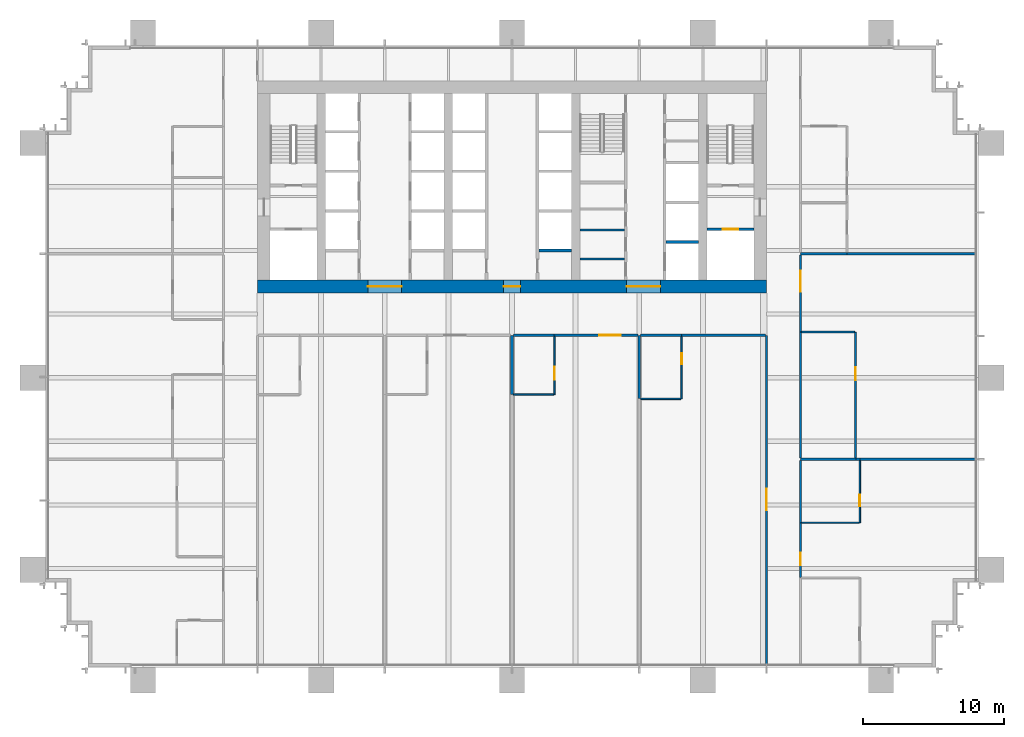
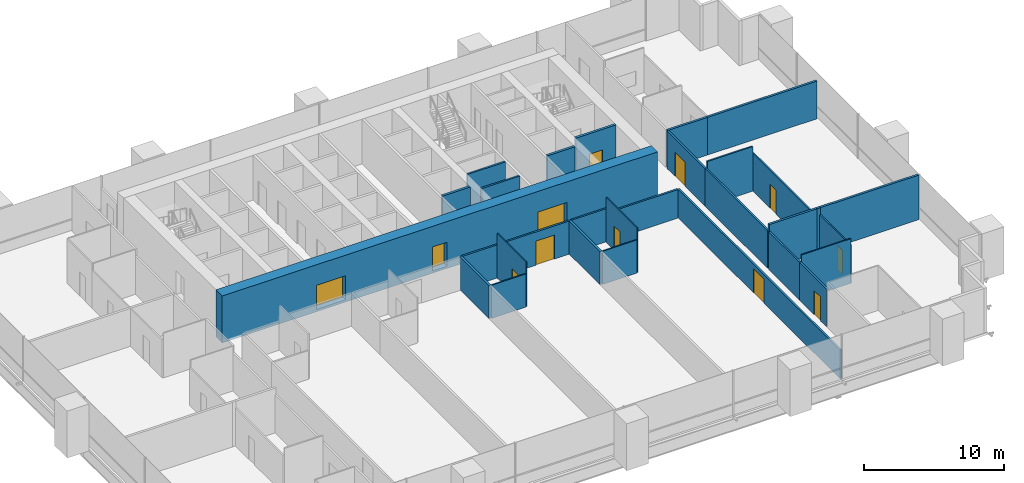
# One storey, part 12 of 17: 30 walls, 12 doors, 12 openings.
"""IFC4 building model written with IfcOpenShell, lengths in metres."""

from ifc_helpers import new_model, si_unit, direction, frame, frame_2d, origin, place, context, subcontext, project, spatial, rectangle, extrude, material, layer, layer_set, type_object, element, fill, save


model = new_model("IFC4")

# Units and contexts
model_context = context("Model", 3, precision=1e-05, world=origin(), true_north=direction((0.0, 1.0)))
body_context = subcontext(model_context, "Body", "Model", "MODEL_VIEW")
ifc_project = project(units=[si_unit("LENGTHUNIT", "METRE"), si_unit("AREAUNIT", "SQUARE_METRE"), si_unit("VOLUMEUNIT", "CUBIC_METRE"), si_unit("PLANEANGLEUNIT", "RADIAN"), si_unit("MASSUNIT", "GRAM", prefix="KILO")], contexts=[model_context])

# Site, building, storey
site_placement = place(None, origin())
site = spatial("IfcSite", under=ifc_project, at=site_placement, CompositionType="ELEMENT")
building_placement = place(site_placement, origin())
building = spatial("IfcBuilding", under=site, at=building_placement, Name="Rattan Terrace Tower", CompositionType="ELEMENT")
storey_placement = place(building_placement, frame((0.0, 0.0, 61.10009765625)))
storey = spatial("IfcBuildingStorey", under=building, at=storey_placement, Name="L13", CompositionType="ELEMENT", Elevation=61.10009765625)

# Walls
ifc_material_1 = material(Name="Gypsum board partition")
ifc_layer_1 = layer(ifc_material_1, 0.14990234375)
ifc_layer_set_1 = layer_set([ifc_layer_1], Name="Core partition 150")
wall_type_1 = type_object("IfcWallType", Name="Core partition 150", PredefinedType="PARTITIONING", material=ifc_layer_set_1)
for number, where, z_axis, x_axis, name in (
    (1, (4.800048828125, -5.10400390625, 0.0), (0.0, 0.0, 1.0), (1.0, 0.0, 0.0), "Toilet wall"),
    (2, (4.800048828125, -3.06396484375, 0.0), (0.0, 0.0, 1.0), (1.0, 0.0, 0.0), "Toilet wall"),
):
    element("IfcWall", number, at=place(storey_placement, frame(where, z_axis=z_axis, x_axis=x_axis)), inside=storey, type_object=wall_type_1, Name=name, PredefinedType="PARTITIONING", context=body_context, shape_type="SweptSolid", body=[
        extrude(rectangle(XDim=3.14990234375, YDim=0.14990234375, at=frame_2d((1.574951171875, 0.0))), origin(), (0.0, 0.0, 1.0), 3.89990234375),
    ])

# Wall, opening, door
ifc_material_2 = material(Name="Gypsum board partition")
ifc_layer_2 = layer(ifc_material_2, 0.199951171875)
ifc_layer_set_2 = layer_set([ifc_layer_2], Name="Core partition 200")
wall_type_2 = type_object("IfcWallType", Name="Core partition 200", PredefinedType="PARTITIONING", material=ifc_layer_set_2)
wall_1_placement = place(storey_placement, frame((13.800048828125, -3.0, 0.0), z_axis=(0.0, 0.0, 1.0), x_axis=(1.0, 0.0, 0.0)))
wall_1 = element("IfcWall", 3, at=wall_1_placement, inside=storey, type_object=wall_type_2, Name="Fire-fighting lobby wall", PredefinedType="PARTITIONING", context=body_context, shape_type="SweptSolid", body=[
    extrude(rectangle(XDim=3.300048828125, YDim=0.199951171875, at=frame_2d((1.64990234375, 0.0))), origin(), (0.0, 0.0, 1.0), 3.89990234375),
])
opening_1_placement = place(wall_1_placement, frame((1.10009765625, 0.0, 0.0)))
opening_1 = element("IfcOpeningElement", 4, at=opening_1_placement, cuts=wall_1, Name="Opening L13-LD-FF2", PredefinedType="OPENING", context=body_context, shape_type="SweptSolid", body=[
    extrude(rectangle(XDim=1.10009765625, YDim=2.10009765625, at=frame_2d((0.550048828125, 1.050048828125))), frame((0.0, 0.110595703125, 0.0), z_axis=(0.0, -1.0, 0.0), x_axis=(1.0, 0.0, 0.0)), (0.0, 0.0, 1.0), 0.220947265625),
])
ifc_material_3 = material(Name="Brushed stainless landing door panel")
door_type_1 = type_object("IfcDoorType", Name="Core lift landing door 1100", OperationType="DOUBLE_DOOR_SLIDING", PredefinedType="DOOR", material=ifc_material_3)
door_1_placement = place(opening_1_placement, origin())
door_1 = element("IfcDoor", 5, at=door_1_placement, inside=storey, type_object=door_type_1, Name="Door L13-LD-FF2", OperationType="DOUBLE_DOOR_SLIDING", OverallHeight=2.10009765625, OverallWidth=1.10009765625, PredefinedType="DOOR", context=body_context, shape_type="SweptSolid", body=[
    extrude(rectangle(XDim=1.10009765625, YDim=2.10009765625, at=frame_2d((0.550048828125, 1.050048828125))), frame((0.0, 0.02490234375, 0.0), z_axis=(0.0, -1.0, 0.0), x_axis=(1.0, 0.0, 0.0)), (0.0, 0.0, 1.0), 0.050048828125),
])
fill(opening_1, door_1)

# Wall, openings, doors
ifc_material_4 = material(Name="Concrete C70/85", Category="concrete")
ifc_layer_3 = layer(ifc_material_4, 0.89990234375)
ifc_layer_set_3 = layer_set([ifc_layer_3], Name="Core ring wall 900 C70/85")
wall_type_3 = type_object("IfcWallType", Name="Core ring wall 900 C70/85", PredefinedType="SHEAR", material=ifc_layer_set_3)
wall_2_placement = place(storey_placement, frame((-18.0, -7.050048828125, -0.2001953125), z_axis=(0.0, 0.0, 1.0), x_axis=(1.0, 0.0, 0.0)))
wall_2 = element("IfcWall", 6, at=wall_2_placement, inside=storey, type_object=wall_type_3, Name="Rear core wall south", PredefinedType="SHEAR", context=body_context, shape_type="SweptSolid", body=[
    extrude(rectangle(XDim=36.0, YDim=0.89990234375, at=frame_2d((18.0, 0.0))), origin(), (0.0, 0.0, 1.0), 4.10009765625),
])
opening_2_placement = place(wall_2_placement, frame((7.800048828125, 0.0, 0.199951171875)))
opening_2 = element("IfcOpeningElement", 7, at=opening_2_placement, cuts=wall_2, Name="Opening L13-D007", PredefinedType="OPENING", context=body_context, shape_type="SweptSolid", body=[
    extrude(rectangle(XDim=2.39990234375, YDim=2.10009765625, at=frame_2d((1.199951171875, 1.050048828125))), frame((0.0, 0.46044921875, 0.0), z_axis=(0.0, -1.0, 0.0), x_axis=(1.0, 0.0, 0.0)), (0.0, 0.0, 1.0), 0.9208984375),
])
opening_3_placement = place(wall_2_placement, frame((17.39990234375, 0.0, 0.199951171875)))
opening_3 = element("IfcOpeningElement", 8, at=opening_3_placement, cuts=wall_2, Name="Opening L13-D010", PredefinedType="OPENING", context=body_context, shape_type="SweptSolid", body=[
    extrude(rectangle(XDim=1.199951171875, YDim=2.10009765625, at=frame_2d((0.60009765625, 1.050048828125))), frame((0.0, 0.46044921875, 0.0), z_axis=(0.0, -1.0, 0.0), x_axis=(1.0, 0.0, 0.0)), (0.0, 0.0, 1.0), 0.9208984375),
])
opening_4_placement = place(wall_2_placement, frame((26.10009765625, 0.0, 0.199951171875)))
opening_4 = element("IfcOpeningElement", 9, at=opening_4_placement, cuts=wall_2, Name="Opening L13-D016", PredefinedType="OPENING", context=body_context, shape_type="SweptSolid", body=[
    extrude(rectangle(XDim=2.39990234375, YDim=2.10009765625, at=frame_2d((1.199951171875, 1.050048828125))), frame((0.0, 0.46044921875, 0.0), z_axis=(0.0, -1.0, 0.0), x_axis=(1.0, 0.0, 0.0)), (0.0, 0.0, 1.0), 0.9208984375),
])
ifc_material_5 = material(Name="Hollow-metal fire door leaf")
door_type_2 = type_object("IfcDoorType", Name="Core lift lobby door 2400", OperationType="NOTDEFINED", PredefinedType="DOOR", material=ifc_material_5)
door_2_placement = place(opening_2_placement, origin())
door_2 = element("IfcDoor", 10, at=door_2_placement, inside=storey, type_object=door_type_2, Name="Door L13-D007", OperationType="DOUBLE_DOOR_DOUBLE_SWING", OverallHeight=2.10009765625, OverallWidth=2.39990234375, PredefinedType="DOOR", context=body_context, shape_type="SweptSolid", body=[
    extrude(rectangle(XDim=2.39990234375, YDim=2.10009765625, at=frame_2d((1.199951171875, 1.050048828125))), frame((0.0, 0.02490234375, 0.0), z_axis=(0.0, -1.0, 0.0), x_axis=(1.0, 0.0, 0.0)), (0.0, 0.0, 1.0), 0.050048828125),
])
fill(opening_2, door_2)
door_3_placement = place(opening_4_placement, origin())
door_3 = element("IfcDoor", 11, at=door_3_placement, inside=storey, type_object=door_type_2, Name="Door L13-D016", OperationType="DOUBLE_DOOR_DOUBLE_SWING", OverallHeight=2.10009765625, OverallWidth=2.39990234375, PredefinedType="DOOR", context=body_context, shape_type="SweptSolid", body=[
    extrude(rectangle(XDim=2.39990234375, YDim=2.10009765625, at=frame_2d((1.199951171875, 1.050048828125))), frame((0.0, 0.02490234375, 0.0), z_axis=(0.0, -1.0, 0.0), x_axis=(1.0, 0.0, 0.0)), (0.0, 0.0, 1.0), 0.050048828125),
])
fill(opening_4, door_3)
ifc_material_6 = material(Name="Hollow-metal fire door leaf")
door_type_3 = type_object("IfcDoorType", Name="Core riser door 1200", OperationType="NOTDEFINED", PredefinedType="DOOR", material=ifc_material_6)
door_4_placement = place(opening_3_placement, origin())
door_4 = element("IfcDoor", 12, at=door_4_placement, inside=storey, type_object=door_type_3, Name="Door L13-D010", OperationType="SINGLE_SWING_RIGHT", OverallHeight=2.10009765625, OverallWidth=1.199951171875, PredefinedType="DOOR", context=body_context, shape_type="SweptSolid", body=[
    extrude(rectangle(XDim=1.199951171875, YDim=2.10009765625, at=frame_2d((0.60009765625, 1.050048828125))), frame((0.0, 0.02490234375, 0.0), z_axis=(0.0, -1.0, 0.0), x_axis=(1.0, 0.0, 0.0)), (0.0, 0.0, 1.0), 0.050048828125),
])
fill(opening_3, door_4)

# Walls
ifc_material_7 = material(Name="Double steel stud acoustic partition, gypsum board, mineral wool, fire rated", Category="steel")
ifc_layer_4 = layer(ifc_material_7, 0.179931640625)
ifc_layer_set_4 = layer_set([ifc_layer_4], Name="Floors Acoustic Party Wall 180")
wall_type_4 = type_object("IfcWallType", Name="Floors Acoustic Party Wall 180", PredefinedType="PARTITIONING", material=ifc_layer_set_4)
wall_3_placement = place(storey_placement, frame((24.60009765625, -19.27294921875, 0.0), z_axis=(0.0, 0.0, 1.0), x_axis=(1.0, 0.0, 0.0)))
element("IfcWall", 13, at=wall_3_placement, inside=storey, type_object=wall_type_4, Name="pt-L13-052", PredefinedType="PARTITIONING", context=body_context, shape_type="SweptSolid", body=[
    extrude(rectangle(XDim=8.139892578125, YDim=0.179931640625, at=frame_2d((4.06982421875, 0.0))), origin(), (0.0, 0.0, 1.0), 3.89990234375),
])
wall_4_placement = place(storey_placement, frame((24.320068359375, -19.27294921875, 0.0), z_axis=(0.0, 0.0, 1.0), x_axis=(1.0, 0.0, 0.0)))
element("IfcWall", 14, at=wall_4_placement, inside=storey, type_object=wall_type_4, Name="pt-L13-053", PredefinedType="PARTITIONING", context=body_context, shape_type="SweptSolid", body=[
    extrude(rectangle(XDim=0.280029296875, YDim=0.179931640625, at=frame_2d((0.14013671875, 0.0))), origin(), (0.0, 0.0, 1.0), 3.89990234375),
])
wall_5_placement = place(storey_placement, frame((20.39990234375, -19.27294921875, 0.0), z_axis=(0.0, 0.0, 1.0), x_axis=(1.0, 0.0, 0.0)))
element("IfcWall", 15, at=wall_5_placement, inside=storey, type_object=wall_type_4, Name="pt-L13-054", PredefinedType="PARTITIONING", context=body_context, shape_type="SweptSolid", body=[
    extrude(rectangle(XDim=3.920166015625, YDim=0.179931640625, at=frame_2d((1.9599609375, 0.0))), origin(), (0.0, 0.0, 1.0), 3.89990234375),
])
wall_6_placement = place(storey_placement, frame((23.679931640625, -4.72705078125, 0.0), z_axis=(0.0, 0.0, 1.0), x_axis=(1.0, 0.0, 0.0)))
element("IfcWall", 16, at=wall_6_placement, inside=storey, type_object=wall_type_4, Name="pt-L13-057", PredefinedType="PARTITIONING", context=body_context, shape_type="SweptSolid", body=[
    extrude(rectangle(XDim=9.06005859375, YDim=0.179931640625, at=frame_2d((4.530029296875, 0.0))), origin(), (0.0, 0.0, 1.0), 3.2998046875),
])
wall_7_placement = place(storey_placement, frame((20.39990234375, -4.72705078125, 0.0), z_axis=(0.0, 0.0, 1.0), x_axis=(1.0, 0.0, 0.0)))
element("IfcWall", 17, at=wall_7_placement, inside=storey, type_object=wall_type_4, Name="pt-L13-058", PredefinedType="PARTITIONING", context=body_context, shape_type="SweptSolid", body=[
    extrude(rectangle(XDim=3.280029296875, YDim=0.179931640625, at=frame_2d((1.64013671875, 0.0))), origin(), (0.0, 0.0, 1.0), 3.2998046875),
])
wall_8_placement = place(storey_placement, frame((0.0, -10.5, 0.0), z_axis=(0.0, 0.0, 1.0), x_axis=(0.0, -1.0, 0.0)))
element("IfcWall", 18, at=wall_8_placement, inside=storey, type_object=wall_type_4, Name="pt-L13-070", PredefinedType="PARTITIONING", context=body_context, shape_type="SweptSolid", body=[
    extrude(rectangle(XDim=4.179931640625, YDim=0.179931640625, at=frame_2d((2.08984375, 0.0))), origin(), (0.0, 0.0, 1.0), 2.89990234375),
])
wall_9_placement = place(storey_placement, frame((9.0, -10.5, 0.0), z_axis=(0.0, 0.0, 1.0), x_axis=(0.0, -1.0, 0.0)))
element("IfcWall", 19, at=wall_9_placement, inside=storey, type_object=wall_type_4, Name="pt-L13-074", PredefinedType="PARTITIONING", context=body_context, shape_type="SweptSolid", body=[
    extrude(rectangle(XDim=4.47998046875, YDim=0.179931640625, at=frame_2d((2.239990234375, 0.0))), origin(), (0.0, 0.0, 1.0), 2.89990234375),
])
ifc_material_8 = material(Name="Gypsum board partition on steel studs", Category="steel")
ifc_layer_5 = layer(ifc_material_8, 0.10009765625)
ifc_layer_set_5 = layer_set([ifc_layer_5], Name="Floors Partition 100")
wall_type_5 = type_object("IfcWallType", Name="Floors Partition 100", PredefinedType="PARTITIONING", material=ifc_layer_set_5)
wall_10_placement = place(storey_placement, frame((20.47509765625, -23.760009765625, 0.0), z_axis=(0.0, 0.0, 1.0), x_axis=(1.0, 0.0, 0.0)))
element("IfcWall", 20, at=wall_10_placement, inside=storey, type_object=wall_type_5, Name="pt-L13-050", PredefinedType="PARTITIONING", context=body_context, shape_type="SweptSolid", body=[
    extrude(rectangle(XDim=4.074951171875, YDim=0.10009765625, at=frame_2d((2.03759765625, 0.0))), origin(), (0.0, 0.0, 1.0), 3.89990234375),
])

# Wall, opening, door
wall_11_placement = place(storey_placement, frame((24.60009765625, -23.760009765625, 0.0), z_axis=(0.0, 0.0, 1.0), x_axis=(0.0, 1.0, 0.0)))
wall_11 = element("IfcWall", 21, at=wall_11_placement, inside=storey, type_object=wall_type_5, Name="pt-L13-051", PredefinedType="PARTITIONING", context=body_context, shape_type="SweptSolid", body=[
    extrude(rectangle(XDim=4.39697265625, YDim=0.10009765625, at=frame_2d((2.198486328125, 0.0))), origin(), (0.0, 0.0, 1.0), 3.2998046875),
])
opening_5_placement = place(wall_11_placement, frame((1.178955078125, 0.0, 0.0)))
opening_5 = element("IfcOpeningElement", 22, at=opening_5_placement, cuts=wall_11, Name="Opening L13-D111", PredefinedType="OPENING", context=body_context, shape_type="SweptSolid", body=[
    extrude(rectangle(XDim=0.800048828125, YDim=2.10009765625, at=frame_2d((0.39990234375, 1.050048828125))), frame((0.0, 0.060546875, 0.0), z_axis=(0.0, -1.0, 0.0), x_axis=(1.0, 0.0, 0.0)), (0.0, 0.0, 1.0), 0.12109375),
])
ifc_material_9 = material(Name="Solid core timber door, painted", Category="wood")
door_type_4 = type_object("IfcDoorType", Name="Floors Store Door 800x2100", OperationType="NOTDEFINED", PredefinedType="DOOR", material=ifc_material_9)
door_5_placement = place(opening_5_placement, origin())
door_5 = element("IfcDoor", 23, at=door_5_placement, inside=storey, type_object=door_type_4, Name="d-L13-111", OperationType="SINGLE_SWING_LEFT", OverallHeight=2.10009765625, OverallWidth=0.800048828125, PredefinedType="DOOR", context=body_context, shape_type="SweptSolid", body=[
    extrude(rectangle(XDim=0.800048828125, YDim=2.10009765625, at=frame_2d((0.39990234375, 1.050048828125))), frame((0.0, 0.02490234375, 0.0), z_axis=(0.0, -1.0, 0.0), x_axis=(1.0, 0.0, 0.0)), (0.0, 0.0, 1.0), 0.050048828125),
])
fill(opening_5, door_5)

# Wall
wall_12_placement = place(storey_placement, frame((0.090087890625, -14.699951171875, 0.0), z_axis=(0.0, 0.0, 1.0), x_axis=(1.0, 0.0, 0.0)))
element("IfcWall", 24, at=wall_12_placement, inside=storey, type_object=wall_type_5, Name="pt-L13-071", PredefinedType="PARTITIONING", context=body_context, shape_type="SweptSolid", body=[
    extrude(rectangle(XDim=2.85986328125, YDim=0.10009765625, at=frame_2d((1.429931640625, 0.0))), origin(), (0.0, 0.0, 1.0), 2.89990234375),
])

# Wall, opening, door
wall_13_placement = place(storey_placement, frame((3.0, -14.699951171875, 0.0), z_axis=(0.0, 0.0, 1.0), x_axis=(0.0, 1.0, 0.0)))
wall_13 = element("IfcWall", 25, at=wall_13_placement, inside=storey, type_object=wall_type_5, Name="pt-L13-072", PredefinedType="PARTITIONING", context=body_context, shape_type="SweptSolid", body=[
    extrude(rectangle(XDim=4.125, YDim=0.10009765625, at=frame_2d((2.0625, 0.0))), origin(), (0.0, 0.0, 1.0), 3.89990234375),
])
opening_6_placement = place(wall_13_placement, frame((1.06689453125, 0.0, 0.0)))
opening_6 = element("IfcOpeningElement", 26, at=opening_6_placement, cuts=wall_13, Name="Opening L13-D123", PredefinedType="OPENING", context=body_context, shape_type="SweptSolid", body=[
    extrude(rectangle(XDim=0.89990234375, YDim=2.10009765625, at=frame_2d((0.449951171875, 1.050048828125))), frame((0.0, 0.060546875, 0.0), z_axis=(0.0, -1.0, 0.0), x_axis=(1.0, 0.0, 0.0)), (0.0, 0.0, 1.0), 0.12109375),
])
ifc_material_10 = material(Name="Solid core timber door, painted", Category="wood")
door_type_5 = type_object("IfcDoorType", Name="Floors Door 900x2100", OperationType="NOTDEFINED", PredefinedType="DOOR", material=ifc_material_10)
door_6_placement = place(opening_6_placement, origin())
door_6 = element("IfcDoor", 27, at=door_6_placement, inside=storey, type_object=door_type_5, Name="d-L13-123", OperationType="SINGLE_SWING_LEFT", OverallHeight=2.10009765625, OverallWidth=0.89990234375, PredefinedType="DOOR", context=body_context, shape_type="SweptSolid", body=[
    extrude(rectangle(XDim=0.89990234375, YDim=2.10009765625, at=frame_2d((0.449951171875, 1.050048828125))), frame((0.0, 0.02490234375, 0.0), z_axis=(0.0, -1.0, 0.0), x_axis=(1.0, 0.0, 0.0)), (0.0, 0.0, 1.0), 0.050048828125),
])
fill(opening_6, door_6)

# Wall
wall_14_placement = place(storey_placement, frame((9.090087890625, -15.0, 0.0), z_axis=(0.0, 0.0, 1.0), x_axis=(1.0, 0.0, 0.0)))
element("IfcWall", 28, at=wall_14_placement, inside=storey, type_object=wall_type_5, Name="pt-L13-075", PredefinedType="PARTITIONING", context=body_context, shape_type="SweptSolid", body=[
    extrude(rectangle(XDim=2.85986328125, YDim=0.10009765625, at=frame_2d((1.429931640625, 0.0))), origin(), (0.0, 0.0, 1.0), 2.89990234375),
])

# Wall, opening, door
wall_15_placement = place(storey_placement, frame((12.0, -15.0, 0.0), z_axis=(0.0, 0.0, 1.0), x_axis=(0.0, 1.0, 0.0)))
wall_15 = element("IfcWall", 29, at=wall_15_placement, inside=storey, type_object=wall_type_5, Name="pt-L13-076", PredefinedType="PARTITIONING", context=body_context, shape_type="SweptSolid", body=[
    extrude(rectangle(XDim=4.425048828125, YDim=0.10009765625, at=frame_2d((2.21240234375, 0.0))), origin(), (0.0, 0.0, 1.0), 3.89990234375),
])
opening_7_placement = place(wall_15_placement, frame((2.43798828125, 0.0, 0.0)))
opening_7 = element("IfcOpeningElement", 30, at=opening_7_placement, cuts=wall_15, Name="Opening L13-D125", PredefinedType="OPENING", context=body_context, shape_type="SweptSolid", body=[
    extrude(rectangle(XDim=0.800048828125, YDim=2.10009765625, at=frame_2d((0.39990234375, 1.050048828125))), frame((0.0, 0.060546875, 0.0), z_axis=(0.0, -1.0, 0.0), x_axis=(1.0, 0.0, 0.0)), (0.0, 0.0, 1.0), 0.12109375),
])
door_7_placement = place(opening_7_placement, origin())
door_7 = element("IfcDoor", 31, at=door_7_placement, inside=storey, type_object=door_type_4, Name="d-L13-125", OperationType="SINGLE_SWING_RIGHT", OverallHeight=2.10009765625, OverallWidth=0.800048828125, PredefinedType="DOOR", context=body_context, shape_type="SweptSolid", body=[
    extrude(rectangle(XDim=0.800048828125, YDim=2.10009765625, at=frame_2d((0.39990234375, 1.050048828125))), frame((0.0, 0.02490234375, 0.0), z_axis=(0.0, -1.0, 0.0), x_axis=(1.0, 0.0, 0.0)), (0.0, 0.0, 1.0), 0.050048828125),
])
fill(opening_7, door_7)

ifc_material_11 = material(Name="Gypsum board partition on steel studs, fire rated", Category="steel")
ifc_layer_6 = layer(ifc_material_11, 0.14990234375)
ifc_layer_set_6 = layer_set([ifc_layer_6], Name="Floors Tenancy Wall 150")
wall_type_6 = type_object("IfcWallType", Name="Floors Tenancy Wall 150", PredefinedType="PARTITIONING", material=ifc_layer_set_6)
wall_16_placement = place(storey_placement, frame((20.39990234375, -23.780029296875, 0.0), z_axis=(0.0, 0.0, 1.0), x_axis=(0.0, -1.0, 0.0)))
wall_16 = element("IfcWall", 32, at=wall_16_placement, inside=storey, type_object=wall_type_6, Name="pt-L13-010", PredefinedType="PARTITIONING", context=body_context, shape_type="SweptSolid", body=[
    extrude(rectangle(XDim=3.85986328125, YDim=0.14990234375, at=frame_2d((1.929931640625, 0.0))), origin(), (0.0, 0.0, 1.0), 3.2998046875),
])
opening_8_placement = place(wall_16_placement, frame((2.094970703125, 0.0, 0.0)))
opening_8 = element("IfcOpeningElement", 33, at=opening_8_placement, cuts=wall_16, Name="Opening L13-D109", PredefinedType="OPENING", context=body_context, shape_type="SweptSolid", body=[
    extrude(rectangle(XDim=0.89990234375, YDim=2.10009765625, at=frame_2d((0.449951171875, 1.050048828125))), frame((0.0, 0.08544921875, 0.0), z_axis=(0.0, -1.0, 0.0), x_axis=(1.0, 0.0, 0.0)), (0.0, 0.0, 1.0), 0.1708984375),
])
ifc_material_12 = material(Name="Steel fire door set", Category="steel")
door_type_6 = type_object("IfcDoorType", Name="Floors Fire Door FD30S 900x2100", OperationType="NOTDEFINED", PredefinedType="DOOR", material=ifc_material_12)
door_8_placement = place(opening_8_placement, origin())
door_8 = element("IfcDoor", 34, at=door_8_placement, inside=storey, type_object=door_type_6, Name="d-L13-109", OperationType="SINGLE_SWING_RIGHT", OverallHeight=2.10009765625, OverallWidth=0.89990234375, PredefinedType="DOOR", context=body_context, shape_type="SweptSolid", body=[
    extrude(rectangle(XDim=0.89990234375, YDim=2.10009765625, at=frame_2d((0.449951171875, 1.050048828125))), frame((0.0, 0.02490234375, 0.0), z_axis=(0.0, -1.0, 0.0), x_axis=(1.0, 0.0, 0.0)), (0.0, 0.0, 1.0), 0.050048828125),
])
fill(opening_8, door_8)

# Wall
wall_17_placement = place(storey_placement, frame((20.39990234375, -19.363037109375, 0.0), z_axis=(0.0, 0.0, 1.0), x_axis=(0.0, -1.0, 0.0)))
element("IfcWall", 35, at=wall_17_placement, inside=storey, type_object=wall_type_6, Name="pt-L13-012", PredefinedType="PARTITIONING", context=body_context, shape_type="SweptSolid", body=[
    extrude(rectangle(XDim=4.4169921875, YDim=0.14990234375, at=frame_2d((2.20849609375, 0.0))), origin(), (0.0, 0.0, 1.0), 3.2998046875),
])

# Wall, opening, door
wall_18_placement = place(storey_placement, frame((20.39990234375, -4.81689453125, 0.0), z_axis=(0.0, 0.0, 1.0), x_axis=(0.0, -1.0, 0.0)))
wall_18 = element("IfcWall", 36, at=wall_18_placement, inside=storey, type_object=wall_type_6, Name="pt-L13-013", PredefinedType="PARTITIONING", context=body_context, shape_type="SweptSolid", body=[
    extrude(rectangle(XDim=5.43603515625, YDim=0.14990234375, at=frame_2d((2.718017578125, 0.0))), origin(), (0.0, 0.0, 1.0), 3.2998046875),
])
opening_9_placement = place(wall_18_placement, frame((1.10888671875, 0.0, 0.0)))
opening_9 = element("IfcOpeningElement", 37, at=opening_9_placement, cuts=wall_18, Name="Opening L13-D112", PredefinedType="OPENING", context=body_context, shape_type="SweptSolid", body=[
    extrude(rectangle(XDim=1.5, YDim=2.10009765625, at=frame_2d((0.75, 1.050048828125))), frame((0.0, 0.08544921875, 0.0), z_axis=(0.0, -1.0, 0.0), x_axis=(1.0, 0.0, 0.0)), (0.0, 0.0, 1.0), 0.1708984375),
])
ifc_material_13 = material(Name="Steel fire door set", Category="steel")
door_type_7 = type_object("IfcDoorType", Name="Floors Unit Door Pair FD30S 1500x2100", OperationType="NOTDEFINED", PredefinedType="DOOR", material=ifc_material_13)
door_9_placement = place(opening_9_placement, origin())
door_9 = element("IfcDoor", 38, at=door_9_placement, inside=storey, type_object=door_type_7, Name="d-L13-112", OperationType="DOUBLE_DOOR_SINGLE_SWING", OverallHeight=2.10009765625, OverallWidth=1.5, PredefinedType="DOOR", context=body_context, shape_type="SweptSolid", body=[
    extrude(rectangle(XDim=1.5, YDim=2.10009765625, at=frame_2d((0.75, 1.050048828125))), frame((0.0, 0.02490234375, 0.0), z_axis=(0.0, -1.0, 0.0), x_axis=(1.0, 0.0, 0.0)), (0.0, 0.0, 1.0), 0.050048828125),
])
fill(opening_9, door_9)

# Wall
wall_19_placement = place(storey_placement, frame((20.39990234375, -10.2529296875, 0.0), z_axis=(0.0, 0.0, 1.0), x_axis=(0.0, -1.0, 0.0)))
element("IfcWall", 39, at=wall_19_placement, inside=storey, type_object=wall_type_6, Name="pt-L13-014", PredefinedType="PARTITIONING", context=body_context, shape_type="SweptSolid", body=[
    extrude(rectangle(XDim=8.93017578125, YDim=0.14990234375, at=frame_2d((4.465087890625, 0.0))), origin(), (0.0, 0.0, 1.0), 3.2998046875),
])

# Wall, opening, door
wall_20_placement = place(storey_placement, frame((8.909912109375, -10.5, 0.0), z_axis=(0.0, 0.0, 1.0), x_axis=(-1.0, 0.0, 0.0)))
wall_20 = element("IfcWall", 40, at=wall_20_placement, inside=storey, type_object=wall_type_6, Name="pt-L13-026", PredefinedType="PARTITIONING", context=body_context, shape_type="SweptSolid", body=[
    extrude(rectangle(XDim=5.929931640625, YDim=0.14990234375, at=frame_2d((2.96484375, 0.0))), origin(), (0.0, 0.0, 1.0), 2.89990234375),
])
opening_10_placement = place(wall_20_placement, frame((1.23193359375, 0.0, 0.0)))
opening_10 = element("IfcOpeningElement", 41, at=opening_10_placement, cuts=wall_20, Name="Opening L13-D122", PredefinedType="OPENING", context=body_context, shape_type="SweptSolid", body=[
    extrude(rectangle(XDim=1.5, YDim=2.10009765625, at=frame_2d((0.75, 1.050048828125))), frame((0.0, 0.08544921875, 0.0), z_axis=(0.0, -1.0, 0.0), x_axis=(1.0, 0.0, 0.0)), (0.0, 0.0, 1.0), 0.1708984375),
])
door_10_placement = place(opening_10_placement, origin())
door_10 = element("IfcDoor", 42, at=door_10_placement, inside=storey, type_object=door_type_7, Name="d-L13-122", OperationType="DOUBLE_DOOR_SINGLE_SWING", OverallHeight=2.10009765625, OverallWidth=1.5, PredefinedType="DOOR", context=body_context, shape_type="SweptSolid", body=[
    extrude(rectangle(XDim=1.5, YDim=2.10009765625, at=frame_2d((0.75, 1.050048828125))), frame((0.0, 0.02490234375, 0.0), z_axis=(0.0, -1.0, 0.0), x_axis=(1.0, 0.0, 0.0)), (0.0, 0.0, 1.0), 0.050048828125),
])
fill(opening_10, door_10)

# Walls
wall_21_placement = place(storey_placement, frame((2.97998046875, -10.5, 0.0), z_axis=(0.0, 0.0, 1.0), x_axis=(-1.0, 0.0, 0.0)))
element("IfcWall", 43, at=wall_21_placement, inside=storey, type_object=wall_type_6, Name="pt-L13-027", PredefinedType="PARTITIONING", context=body_context, shape_type="SweptSolid", body=[
    extrude(rectangle(XDim=2.889892578125, YDim=0.14990234375, at=frame_2d((1.44482421875, 0.0))), origin(), (0.0, 0.0, 1.0), 2.89990234375),
])
wall_22_placement = place(storey_placement, frame((17.925048828125, -10.5, 0.0), z_axis=(0.0, 0.0, 1.0), x_axis=(-1.0, 0.0, 0.0)))
element("IfcWall", 44, at=wall_22_placement, inside=storey, type_object=wall_type_6, Name="pt-L13-028", PredefinedType="PARTITIONING", context=body_context, shape_type="SweptSolid", body=[
    extrude(rectangle(XDim=5.945068359375, YDim=0.14990234375, at=frame_2d((2.97265625, 0.0))), origin(), (0.0, 0.0, 1.0), 2.5),
])

# Wall, opening, door
wall_23_placement = place(storey_placement, frame((18.0, -33.739990234375, 0.0), z_axis=(0.0, 0.0, 1.0), x_axis=(0.0, 1.0, 0.0)))
wall_23 = element("IfcWall", 45, at=wall_23_placement, inside=storey, type_object=wall_type_6, Name="pt-L13-029", PredefinedType="PARTITIONING", context=body_context, shape_type="SweptSolid", body=[
    extrude(rectangle(XDim=23.239990234375, YDim=0.14990234375, at=frame_2d((11.6201171875, 0.0))), origin(), (0.0, 0.0, 1.0), 2.5),
])
opening_11_placement = place(wall_23_placement, frame((10.8701171875, 0.0, 0.0)))
opening_11 = element("IfcOpeningElement", 46, at=opening_11_placement, cuts=wall_23, Name="Opening L13-D124", PredefinedType="OPENING", context=body_context, shape_type="SweptSolid", body=[
    extrude(rectangle(XDim=1.5, YDim=2.10009765625, at=frame_2d((0.75, 1.050048828125))), frame((0.0, 0.08544921875, 0.0), z_axis=(0.0, -1.0, 0.0), x_axis=(1.0, 0.0, 0.0)), (0.0, 0.0, 1.0), 0.1708984375),
])
door_11_placement = place(opening_11_placement, origin())
door_11 = element("IfcDoor", 47, at=door_11_placement, inside=storey, type_object=door_type_7, Name="d-L13-124", OperationType="DOUBLE_DOOR_SINGLE_SWING", OverallHeight=2.10009765625, OverallWidth=1.5, PredefinedType="DOOR", context=body_context, shape_type="SweptSolid", body=[
    extrude(rectangle(XDim=1.5, YDim=2.10009765625, at=frame_2d((0.75, 1.050048828125))), frame((0.0, 0.02490234375, 0.0), z_axis=(0.0, -1.0, 0.0), x_axis=(1.0, 0.0, 0.0)), (0.0, 0.0, 1.0), 0.050048828125),
])
fill(opening_11, door_11)

# Walls
wall_24_placement = place(storey_placement, frame((11.97998046875, -10.5, 0.0), z_axis=(0.0, 0.0, 1.0), x_axis=(-1.0, 0.0, 0.0)))
element("IfcWall", 48, at=wall_24_placement, inside=storey, type_object=wall_type_6, Name="pt-L13-030", PredefinedType="PARTITIONING", context=body_context, shape_type="SweptSolid", body=[
    extrude(rectangle(XDim=2.889892578125, YDim=0.14990234375, at=frame_2d((1.44482421875, 0.0))), origin(), (0.0, 0.0, 1.0), 2.89990234375),
])
ifc_material_14 = material(Name="Moisture resistant gypsum board partition on steel studs with service cavity", Category="steel")
ifc_layer_7 = layer(ifc_material_14, 0.1201171875)
ifc_layer_set_7 = layer_set([ifc_layer_7], Name="Floors Wet Wall 120")
wall_type_7 = type_object("IfcWallType", Name="Floors Wet Wall 120", PredefinedType="PARTITIONING", material=ifc_layer_set_7)
wall_25_placement = place(storey_placement, frame((24.239990234375, -10.27294921875, 0.0), z_axis=(0.0, 0.0, 1.0), x_axis=(-1.0, 0.0, 0.0)))
element("IfcWall", 49, at=wall_25_placement, inside=storey, type_object=wall_type_7, Name="pt-L13-055", PredefinedType="PARTITIONING", context=body_context, shape_type="SweptSolid", body=[
    extrude(rectangle(XDim=3.764892578125, YDim=0.1201171875, at=frame_2d((1.88232421875, 0.0))), origin(), (0.0, 0.0, 1.0), 3.89990234375),
])

# Wall, opening, door
wall_26_placement = place(storey_placement, frame((24.300048828125, -19.18310546875, 0.0), z_axis=(0.0, 0.0, 1.0), x_axis=(0.0, 1.0, 0.0)))
wall_26 = element("IfcWall", 50, at=wall_26_placement, inside=storey, type_object=wall_type_7, Name="pt-L13-056", PredefinedType="PARTITIONING", context=body_context, shape_type="SweptSolid", body=[
    extrude(rectangle(XDim=8.91015625, YDim=0.1201171875, at=frame_2d((4.455078125, 0.0))), origin(), (0.0, 0.0, 1.0), 3.2998046875),
])
opening_12_placement = place(wall_26_placement, frame((5.507080078125, 0.0, 0.0)))
opening_12 = element("IfcOpeningElement", 51, at=opening_12_placement, cuts=wall_26, Name="Opening L13-D113", PredefinedType="OPENING", context=body_context, shape_type="SweptSolid", body=[
    extrude(rectangle(XDim=0.89990234375, YDim=2.10009765625, at=frame_2d((0.449951171875, 1.050048828125))), frame((0.0, 0.070556640625, 0.0), z_axis=(0.0, -1.0, 0.0), x_axis=(1.0, 0.0, 0.0)), (0.0, 0.0, 1.0), 0.14111328125),
])
door_12_placement = place(opening_12_placement, origin())
door_12 = element("IfcDoor", 52, at=door_12_placement, inside=storey, type_object=door_type_5, Name="d-L13-113", OperationType="SINGLE_SWING_RIGHT", OverallHeight=2.10009765625, OverallWidth=0.89990234375, PredefinedType="DOOR", context=body_context, shape_type="SweptSolid", body=[
    extrude(rectangle(XDim=0.89990234375, YDim=2.10009765625, at=frame_2d((0.449951171875, 1.050048828125))), frame((0.0, 0.02490234375, 0.0), z_axis=(0.0, -1.0, 0.0), x_axis=(1.0, 0.0, 0.0)), (0.0, 0.0, 1.0), 0.050048828125),
])
fill(opening_12, door_12)

# Walls
ifc_material_15 = material(Name="Gypsum shaft wall system")
ifc_layer_8 = layer(ifc_material_15, 0.199951171875)
ifc_layer_set_8 = layer_set([ifc_layer_8], Name="Lift shaft wall 200")
wall_type_8 = type_object("IfcWallType", Name="Lift shaft wall 200", PredefinedType="PARTITIONING", material=ifc_layer_set_8)
for number, where, z_axis, x_axis, name in (
    (53, (1.89990234375, -4.5, 0.0), (0.0, 0.0, 1.0), (1.0, 0.0, 0.0), "Lift shaft wall"),
    (54, (10.89990234375, -3.89990234375, 0.0), (0.0, 0.0, 1.0), (1.0, 0.0, 0.0), "Lift shaft wall"),
):
    element("IfcWall", number, at=place(storey_placement, frame(where, z_axis=z_axis, x_axis=x_axis)), inside=storey, type_object=wall_type_8, Name=name, PredefinedType="PARTITIONING", context=body_context, shape_type="SweptSolid", body=[
        extrude(rectangle(XDim=2.300048828125, YDim=0.199951171875, at=frame_2d((1.14990234375, 0.0))), origin(), (0.0, 0.0, 1.0), 3.89990234375),
    ])

save(model, "model.ifc")
